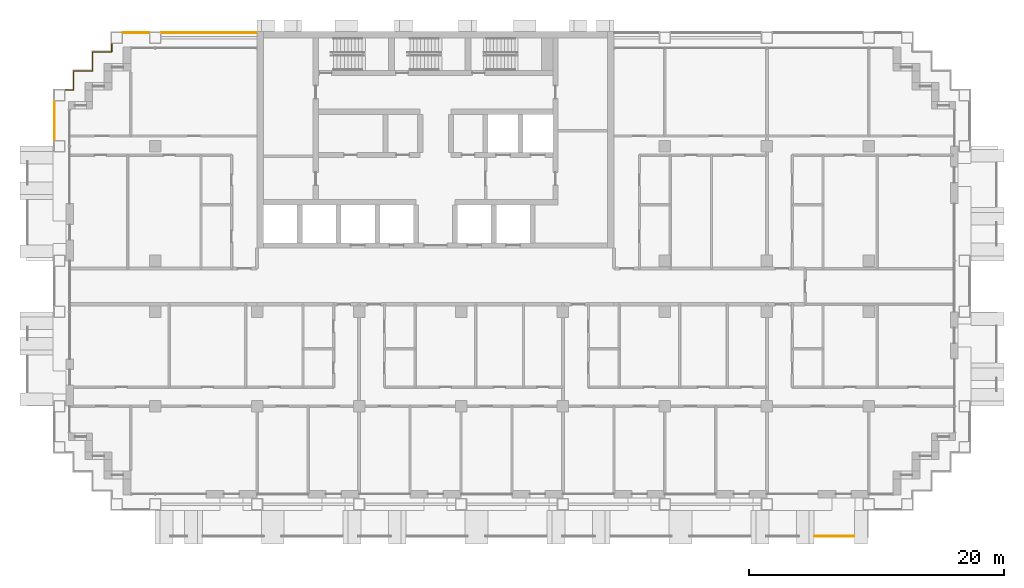
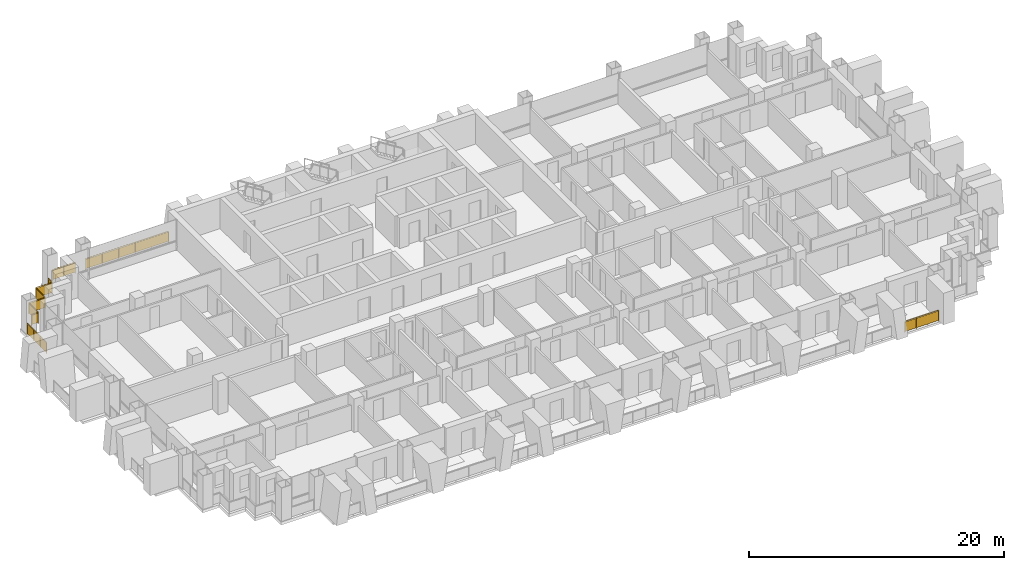
# One storey, part 15 of 17: 5 railings.
"""IFC4 building model written with IfcOpenShell, lengths in metres."""

from ifc_helpers import new_model, si_unit, direction, frame, origin, origin_2d, place, context, subcontext, project, spatial, rectangle, circle, extrude, material, type_object, element, save


model = new_model("IFC4")

# Units and contexts
model_context = context("Model", 3, precision=1e-05, world=origin(), true_north=direction((0.0, 1.0)))
body_context = subcontext(model_context, "Body", "Model", "MODEL_VIEW")
ifc_project = project(units=[si_unit("LENGTHUNIT", "METRE"), si_unit("AREAUNIT", "SQUARE_METRE"), si_unit("VOLUMEUNIT", "CUBIC_METRE"), si_unit("PLANEANGLEUNIT", "RADIAN"), si_unit("MASSUNIT", "GRAM", prefix="KILO")], contexts=[model_context])

# Site, building, storey
site_placement = place(None, origin())
site = spatial("IfcSite", under=ifc_project, at=site_placement, CompositionType="ELEMENT")
building_placement = place(site_placement, origin())
building = spatial("IfcBuilding", under=site, at=building_placement, Name="Vidyagriha Tower", CompositionType="ELEMENT")
storey_placement = place(building_placement, frame((0.0, 0.0, 77.5)))
storey = spatial("IfcBuildingStorey", under=building, at=storey_placement, Name="L19", CompositionType="ELEMENT", Elevation=77.5)

# Railings
ifc_material_1 = material(Name="Steel ASTM A500 Grade C black painted", Category="steel")
railing_type_1 = type_object("IfcRailingType", Name="Balcony guard 1100", PredefinedType="BALUSTRADE", material=ifc_material_1)
railing_1_placement = place(storey_placement, frame((29.75, -19.60009765625, 0.0)))
element("IfcRailing", 1, at=railing_1_placement, inside=storey, type_object=railing_type_1, Name="Balcony guard L19 R23.1-11", PredefinedType="BALUSTRADE", context=body_context, shape_type="SweptSolid", body=[
    extrude(circle(Radius=0.02490234375, at=origin_2d()), frame((0.0, 0.0, 1.0751953125), z_axis=(1.0, 0.0, 0.0), x_axis=(0.0, 1.0, 0.0)), (0.0, 0.0, 1.0), 3.074951171875),
    extrude(circle(Radius=0.02001953125, at=origin_2d()), origin(), (0.0, 0.0, 1.0), 1.050048828125),
    extrude(circle(Radius=0.02001953125, at=origin_2d()), frame((1.02490234375, 0.0, 0.0)), (0.0, 0.0, 1.0), 1.050048828125),
    extrude(circle(Radius=0.02001953125, at=origin_2d()), frame((2.050048828125, 0.0, 0.0)), (0.0, 0.0, 1.0), 1.050048828125),
    extrude(circle(Radius=0.02001953125, at=origin_2d()), frame((3.074951171875, 0.0, 0.0)), (0.0, 0.0, 1.0), 1.050048828125),
    extrude(rectangle(XDim=0.010009765625, YDim=0.900146484375, at=origin_2d()), frame((0.0, 0.0, 0.550048828125), z_axis=(1.0, 0.0, 0.0), x_axis=(0.0, 1.0, 0.0)), (0.0, 0.0, 1.0), 3.074951171875),
])
ifc_material_2 = material(Name="Steel ASTM A500 Grade C black painted", Category="steel")
railing_type_2 = type_object("IfcRailingType", Name="Gallery guard 1100", PredefinedType="GUARDRAIL", material=ifc_material_2)
railing_2_placement = place(storey_placement, frame((-29.89990234375, 11.47998046875, 0.0)))
element("IfcRailing", 2, at=railing_2_placement, inside=storey, type_object=railing_type_2, Name="Gallery guard L19 3", PredefinedType="GUARDRAIL", context=body_context, shape_type="SweptSolid", body=[
    extrude(circle(Radius=0.02490234375, at=origin_2d()), frame((0.0, 0.0, 1.0751953125), z_axis=(0.0, 1.0, 0.0), x_axis=(-1.0, 0.0, 0.0)), (0.0, 0.0, 1.0), 3.0400390625),
    extrude(circle(Radius=0.02001953125, at=origin_2d()), origin(), (0.0, 0.0, 1.0), 1.050048828125),
    extrude(circle(Radius=0.02001953125, at=origin_2d()), frame((0.0, 1.013427734375, 0.0)), (0.0, 0.0, 1.0), 1.050048828125),
    extrude(circle(Radius=0.02001953125, at=origin_2d()), frame((0.0, 2.026611328125, 0.0)), (0.0, 0.0, 1.0), 1.050048828125),
    extrude(circle(Radius=0.02001953125, at=origin_2d()), frame((0.0, 3.0400390625, 0.0)), (0.0, 0.0, 1.0), 1.050048828125),
    extrude(rectangle(XDim=0.010009765625, YDim=0.900146484375, at=origin_2d()), frame((0.0, 0.0, 0.550048828125), z_axis=(0.0, 1.0, 0.0), x_axis=(-1.0, 0.0, 0.0)), (0.0, 0.0, 1.0), 3.0400390625),
])
railing_3_placement = place(storey_placement, frame((-29.02001953125, 15.39990234375, 0.0)))
element("IfcRailing", 3, at=railing_3_placement, inside=storey, type_object=railing_type_2, Name="Gallery guard L19 5", PredefinedType="GUARDRAIL", context=body_context, shape_type="SweptSolid", body=[
    extrude(circle(Radius=0.02490234375, at=origin_2d()), frame((0.0, 0.0, 1.0751953125), z_axis=(1.0, 0.0, 0.0), x_axis=(0.0, 1.0, 0.0)), (0.0, 0.0, 1.0), 0.6201171875),
    extrude(circle(Radius=0.02490234375, at=origin_2d()), frame((0.6201171875, 0.0, 1.0751953125), z_axis=(0.0, 1.0, 0.0), x_axis=(-1.0, 0.0, 0.0)), (0.0, 0.0, 1.0), 1.5),
    extrude(circle(Radius=0.02490234375, at=origin_2d()), frame((0.6201171875, 1.5, 1.0751953125), z_axis=(1.0, 0.0, 0.0), x_axis=(0.0, 1.0, 0.0)), (0.0, 0.0, 1.0), 1.5),
    extrude(circle(Radius=0.02490234375, at=origin_2d()), frame((2.1201171875, 1.5, 1.0751953125), z_axis=(0.0, 1.0, 0.0), x_axis=(-1.0, 0.0, 0.0)), (0.0, 0.0, 1.0), 1.5),
    extrude(circle(Radius=0.02490234375, at=origin_2d()), frame((2.1201171875, 3.0, 1.0751953125), z_axis=(1.0, 0.0, 0.0), x_axis=(0.0, 1.0, 0.0)), (0.0, 0.0, 1.0), 1.5),
    extrude(circle(Radius=0.02490234375, at=origin_2d()), frame((3.6201171875, 3.0, 1.0751953125), z_axis=(0.0, 1.0, 0.0), x_axis=(-1.0, 0.0, 0.0)), (0.0, 0.0, 1.0), 0.6201171875),
    extrude(circle(Radius=0.02001953125, at=origin_2d()), origin(), (0.0, 0.0, 1.0), 1.050048828125),
    extrude(circle(Radius=0.02001953125, at=origin_2d()), frame((0.6201171875, 0.0, 0.0)), (0.0, 0.0, 1.0), 1.050048828125),
    extrude(circle(Radius=0.02001953125, at=origin_2d()), frame((0.6201171875, 1.5, 0.0)), (0.0, 0.0, 1.0), 1.050048828125),
    extrude(circle(Radius=0.02001953125, at=origin_2d()), frame((2.1201171875, 1.5, 0.0)), (0.0, 0.0, 1.0), 1.050048828125),
    extrude(circle(Radius=0.02001953125, at=origin_2d()), frame((2.1201171875, 3.0, 0.0)), (0.0, 0.0, 1.0), 1.050048828125),
    extrude(circle(Radius=0.02001953125, at=origin_2d()), frame((3.6201171875, 3.0, 0.0)), (0.0, 0.0, 1.0), 1.050048828125),
    extrude(circle(Radius=0.02001953125, at=origin_2d()), frame((3.6201171875, 3.6201171875, 0.0)), (0.0, 0.0, 1.0), 1.050048828125),
    extrude(rectangle(XDim=0.010009765625, YDim=0.900146484375, at=origin_2d()), frame((0.0, 0.0, 0.550048828125), z_axis=(1.0, 0.0, 0.0), x_axis=(0.0, 1.0, 0.0)), (0.0, 0.0, 1.0), 0.6201171875),
    extrude(rectangle(XDim=0.010009765625, YDim=0.900146484375, at=origin_2d()), frame((0.6201171875, 0.0, 0.550048828125), z_axis=(0.0, 1.0, 0.0), x_axis=(-1.0, 0.0, 0.0)), (0.0, 0.0, 1.0), 1.5),
    extrude(rectangle(XDim=0.010009765625, YDim=0.900146484375, at=origin_2d()), frame((0.6201171875, 1.5, 0.550048828125), z_axis=(1.0, 0.0, 0.0), x_axis=(0.0, 1.0, 0.0)), (0.0, 0.0, 1.0), 1.5),
    extrude(rectangle(XDim=0.010009765625, YDim=0.900146484375, at=origin_2d()), frame((2.1201171875, 1.5, 0.550048828125), z_axis=(0.0, 1.0, 0.0), x_axis=(-1.0, 0.0, 0.0)), (0.0, 0.0, 1.0), 1.5),
    extrude(rectangle(XDim=0.010009765625, YDim=0.900146484375, at=origin_2d()), frame((2.1201171875, 3.0, 0.550048828125), z_axis=(1.0, 0.0, 0.0), x_axis=(0.0, 1.0, 0.0)), (0.0, 0.0, 1.0), 1.5),
    extrude(rectangle(XDim=0.010009765625, YDim=0.900146484375, at=origin_2d()), frame((3.6201171875, 3.0, 0.550048828125), z_axis=(0.0, 1.0, 0.0), x_axis=(-1.0, 0.0, 0.0)), (0.0, 0.0, 1.0), 0.6201171875),
])
railing_4_placement = place(storey_placement, frame((-24.52001953125, 19.89990234375, 0.0)))
element("IfcRailing", 4, at=railing_4_placement, inside=storey, type_object=railing_type_2, Name="Gallery guard L19 7", PredefinedType="GUARDRAIL", context=body_context, shape_type="SweptSolid", body=[
    extrude(circle(Radius=0.02490234375, at=origin_2d()), frame((0.0, 0.0, 1.0751953125), z_axis=(1.0, 0.0, 0.0), x_axis=(0.0, 1.0, 0.0)), (0.0, 0.0, 1.0), 2.0400390625),
    extrude(circle(Radius=0.02001953125, at=origin_2d()), origin(), (0.0, 0.0, 1.0), 1.050048828125),
    extrude(circle(Radius=0.02001953125, at=origin_2d()), frame((1.02001953125, 0.0, 0.0)), (0.0, 0.0, 1.0), 1.050048828125),
    extrude(circle(Radius=0.02001953125, at=origin_2d()), frame((2.0400390625, 0.0, 0.0)), (0.0, 0.0, 1.0), 1.050048828125),
    extrude(rectangle(XDim=0.010009765625, YDim=0.900146484375, at=origin_2d()), frame((0.0, 0.0, 0.550048828125), z_axis=(1.0, 0.0, 0.0), x_axis=(0.0, 1.0, 0.0)), (0.0, 0.0, 1.0), 2.0400390625),
])
railing_5_placement = place(storey_placement, frame((-21.52001953125, 19.89990234375, 0.0)))
element("IfcRailing", 5, at=railing_5_placement, inside=storey, type_object=railing_type_2, Name="Gallery guard L19 8", PredefinedType="GUARDRAIL", context=body_context, shape_type="SweptSolid", body=[
    extrude(circle(Radius=0.02490234375, at=origin_2d()), frame((0.0, 0.0, 1.0751953125), z_axis=(1.0, 0.0, 0.0), x_axis=(0.0, 1.0, 0.0)), (0.0, 0.0, 1.0), 7.489990234375),
    extrude(circle(Radius=0.02001953125, at=origin_2d()), origin(), (0.0, 0.0, 1.0), 1.050048828125),
    extrude(circle(Radius=0.02001953125, at=origin_2d()), frame((1.498046875, 0.0, 0.0)), (0.0, 0.0, 1.0), 1.050048828125),
    extrude(circle(Radius=0.02001953125, at=origin_2d()), frame((2.99609375, 0.0, 0.0)), (0.0, 0.0, 1.0), 1.050048828125),
    extrude(circle(Radius=0.02001953125, at=origin_2d()), frame((4.493896484375, 0.0, 0.0)), (0.0, 0.0, 1.0), 1.050048828125),
    extrude(circle(Radius=0.02001953125, at=origin_2d()), frame((5.991943359375, 0.0, 0.0)), (0.0, 0.0, 1.0), 1.050048828125),
    extrude(circle(Radius=0.02001953125, at=origin_2d()), frame((7.489990234375, 0.0, 0.0)), (0.0, 0.0, 1.0), 1.050048828125),
    extrude(rectangle(XDim=0.010009765625, YDim=0.900146484375, at=origin_2d()), frame((0.0, 0.0, 0.550048828125), z_axis=(1.0, 0.0, 0.0), x_axis=(0.0, 1.0, 0.0)), (0.0, 0.0, 1.0), 7.489990234375),
])

save(model, "model.ifc")
